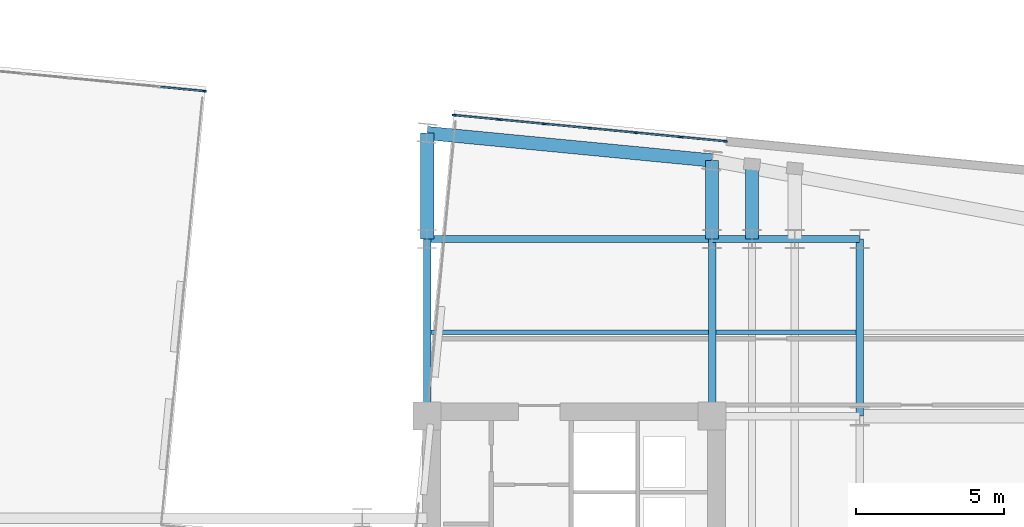
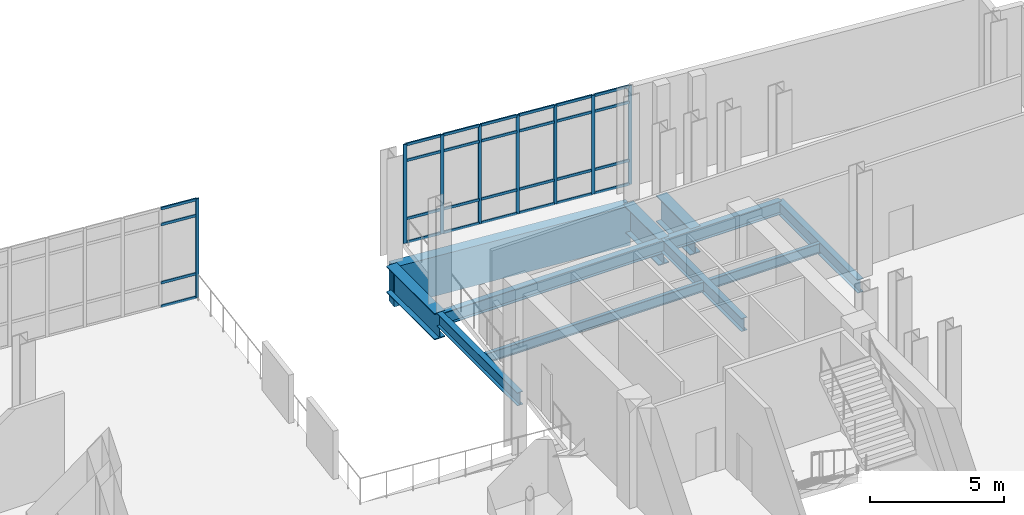
# One storey, part 9 of 16: 36 members, 11 beams, 2 elements without a shape of their own.
"""IFC4 building model written with IfcOpenShell, lengths in metres."""

import ifcopenshell
import ifcopenshell.guid

model = None  # the IFC model being written
_history = None  # IfcOwnerHistory: only IFC2X3 demands one
_inside = {}  # id of a spatial element -> (the spatial element, [elements in it])
_under = {}  # id of a project, library or spatial element -> (it, [spatial elements below it])
_declared = {}  # id of a project -> (the project, [libraries it declares])
_typed = {}  # id of a type object -> (the type object, [elements of that type])
_made_of = {}  # id of a material, layer set ... -> (it, [elements and type objects made of it])


def new_model(schema):
    """Start an empty IFC model of exactly this schema.

    Asked for "IFC4X3", IfcOpenShell would pick the latest addendum, in which some entities
    have other attributes; the version numbers below select the first issue.
    IFC2X3 requires an IfcOwnerHistory on every rooted entity: one is made here for all.
    """
    global model, _history
    if schema == "IFC4X3":
        model = ifcopenshell.file(schema_version=(4, 3, 0, 0))
    else:
        model = ifcopenshell.file(schema=schema)
    _inside.clear()
    _under.clear()
    _declared.clear()
    _typed.clear()
    _made_of.clear()
    _history = None
    if model.schema == "IFC2X3":
        org = make("IfcOrganization", Name="unknown")
        user = make(
            "IfcPersonAndOrganization",
            ThePerson=make("IfcPerson", FamilyName="unknown"),
            TheOrganization=org,
        )
        app = make(
            "IfcApplication",
            ApplicationDeveloper=org,
            Version="unknown",
            ApplicationFullName="unknown",
            ApplicationIdentifier="unknown",
        )
        _history = make(
            "IfcOwnerHistory",
            OwningUser=user,
            OwningApplication=app,
            ChangeAction="ADDED",
            CreationDate=0,
        )
    return model


def make(cls, **values):
    """One entity of the class cls with the attributes given. An attribute that is None is left unset."""
    return model.create_entity(
        cls, **{name: value for name, value in values.items() if value is not None}
    )


def rooted(cls, **values):
    """An entity with a GlobalId (a new one), such as an element, a storey or a relation."""
    return make(cls, GlobalId=ifcopenshell.guid.new(), OwnerHistory=_history, **values)


def si_unit(unit_type, name, prefix=None):
    """IfcSIUnit, for example si_unit("LENGTHUNIT", "METRE", prefix="MILLI")."""
    return make("IfcSIUnit", UnitType=unit_type, Prefix=prefix, Name=name)


def assignment(units):
    """IfcUnitAssignment: the units of a project."""
    return None if units is None else make("IfcUnitAssignment", Units=units)


def point(xyz):
    """IfcCartesianPoint."""
    return None if xyz is None else make("IfcCartesianPoint", Coordinates=xyz)


def direction(xyz):
    """IfcDirection."""
    return None if xyz is None else make("IfcDirection", DirectionRatios=xyz)


def frame(location, z_axis=None, x_axis=None):
    """IfcAxis2Placement3D, a coordinate frame: its origin and axes. An axis left out is left unset."""
    return make(
        "IfcAxis2Placement3D",
        Location=point(location),
        Axis=direction(z_axis),
        RefDirection=direction(x_axis),
    )


def frame_2d(location, x_axis=None):
    """IfcAxis2Placement2D, a coordinate frame in the plane: its origin and x axis."""
    return make(
        "IfcAxis2Placement2D", Location=point(location), RefDirection=direction(x_axis)
    )


def origin():
    """The frame at (0, 0, 0) with its axes left unset."""
    return frame((0.0, 0.0, 0.0))


def origin_2d():
    """The frame at (0, 0) in the plane with its x axis left unset."""
    return frame_2d((0.0, 0.0))


def place(relative_to, where):
    """IfcLocalPlacement: puts the frame where relative to a parent placement (None: the world)."""
    return make(
        "IfcLocalPlacement", PlacementRelTo=relative_to, RelativePlacement=where
    )


def context(
    kind, dimensions, precision=None, world=None, true_north=None, identifier=None
):
    """IfcGeometricRepresentationContext, for example the 3D "Model" context."""
    return make(
        "IfcGeometricRepresentationContext",
        ContextIdentifier=identifier,
        ContextType=kind,
        CoordinateSpaceDimension=dimensions,
        Precision=precision,
        WorldCoordinateSystem=world,
        TrueNorth=true_north,
    )


def subcontext(parent, identifier, kind, view, scale=None):
    """IfcGeometricRepresentationSubContext, for example "Body" below "Model"."""
    return make(
        "IfcGeometricRepresentationSubContext",
        ContextIdentifier=identifier,
        ContextType=kind,
        ParentContext=parent,
        TargetScale=scale,
        TargetView=view,
    )


def project(units=None, contexts=None):
    """IfcProject with its units and contexts."""
    return rooted(
        "IfcProject",
        Name="project",
        RepresentationContexts=contexts,
        UnitsInContext=assignment(units),
    )


def spatial(cls, under=None, at=None, **own):
    """A site, building, storey or space (cls), placed at a placement, below another one or the project."""
    s = rooted(cls, ObjectPlacement=at, **own)
    if under is not None:
        _under.setdefault(under.id(), (under, []))[1].append(s)
    return s


def profile(cls, at=None, kind="AREA", **sizes):
    """A parametric profile (cls). Its sizes go by their IFC names, for example OverallWidth=200.0."""
    return make(cls, ProfileType=kind, Position=at, **sizes)


def rectangle(**sizes):
    """IfcRectangleProfileDef."""
    return profile("IfcRectangleProfileDef", **sizes)


def i_section(**sizes):
    """IfcIShapeProfileDef."""
    return profile("IfcIShapeProfileDef", **sizes)


def extrude(swept, where, along, depth):
    """IfcExtrudedAreaSolid: the profile swept, set in the frame where, extruded along a direction by depth."""
    return make(
        "IfcExtrudedAreaSolid",
        SweptArea=swept,
        Position=where,
        ExtrudedDirection=direction(along),
        Depth=depth,
    )


def shape(context_of_items, identifier, shape_type, items):
    """IfcShapeRepresentation: the items that make up one representation, for example the "Body"."""
    return make(
        "IfcShapeRepresentation",
        ContextOfItems=context_of_items,
        RepresentationIdentifier=identifier,
        RepresentationType=shape_type,
        Items=items,
    )


def material(Name=None, Category=None):
    """IfcMaterial."""
    return make("IfcMaterial", Name=Name, Category=Category)


def layer(
    of_material, thickness, ventilated=None, Name=None, Category=None, Priority=None
):
    """IfcMaterialLayer: one layer of a wall or slab, of a material (None: an air gap)."""
    return make(
        "IfcMaterialLayer",
        Material=of_material,
        LayerThickness=thickness,
        IsVentilated=ventilated,
        Name=Name,
        Category=Category,
        Priority=Priority,
    )


def layer_set(layers, Name=None):
    """IfcMaterialLayerSet."""
    return make("IfcMaterialLayerSet", MaterialLayers=layers, LayerSetName=Name)


def material_profile(
    of_material, cross_section, Name=None, Category=None, Priority=None
):
    """IfcMaterialProfile: a cross section and its material."""
    return make(
        "IfcMaterialProfile",
        Name=Name,
        Material=of_material,
        Profile=cross_section,
        Priority=Priority,
        Category=Category,
    )


def profile_set(profiles, Name=None, composite=None):
    """IfcMaterialProfileSet."""
    return make(
        "IfcMaterialProfileSet",
        Name=Name,
        MaterialProfiles=profiles,
        CompositeProfile=composite,
    )


def made_of(thing, what):
    """Note that an element or type object is made of a material, layer set ...; save() writes the relation."""
    if what is not None:
        _made_of.setdefault(what.id(), (what, []))[1].append(thing)
    return thing


def type_object(cls, material=None, **own):
    """A type object (cls), such as IfcWallType, which elements share."""
    return made_of(rooted(cls, **own), material)


def element(
    cls,
    number,
    at=None,
    inside=None,
    cuts=None,
    type_object=None,
    material=None,
    context=None,
    identifier="Body",
    shape_type=None,
    held_by="IfcProductDefinitionShape",
    body=None,
    shapes=None,
    **own,
):
    """One element of the class cls, such as IfcWall. Its Tag is "e" and its number.

    at: its placement. inside: the storey or other place that contains it. cuts: it is an
    opening in that element (IfcRelVoidsElement). A single representation is given by context,
    identifier, shape_type and body (its items); several are given by shapes. held_by: the class
    of the entity that holds the representations. save() writes the other relations.
    """
    e = rooted(cls, Tag="e%d" % number, ObjectPlacement=at, **own)
    if body is not None:
        shapes = [shape(context, identifier, shape_type, body)]
    if shapes is not None:
        e.Representation = make(held_by, Representations=shapes)
    if inside is not None:
        _inside.setdefault(inside.id(), (inside, []))[1].append(e)
    if cuts is not None:
        rooted(
            "IfcRelVoidsElement", RelatingBuildingElement=cuts, RelatedOpeningElement=e
        )
    if type_object is not None:
        _typed.setdefault(type_object.id(), (type_object, []))[1].append(e)
    return made_of(e, material)


def aggregate(whole, parts):
    """IfcRelAggregates: a whole, such as a stair, and the parts it consists of."""
    return rooted("IfcRelAggregates", RelatingObject=whole, RelatedObjects=parts)


def save(model, path):
    """Write the relations noted so far, then the file.

    IfcRelAggregates (storeys below a building ...), IfcRelContainedInSpatialStructure (elements
    in a storey), IfcRelDefinesByType, IfcRelAssociatesMaterial and IfcRelDeclares: one each for
    every whole, place, type object, material and project.
    """
    for whole, parts in _under.values():
        aggregate(whole, parts)
    for where, things in _inside.values():
        rooted(
            "IfcRelContainedInSpatialStructure",
            RelatedElements=things,
            RelatingStructure=where,
        )
    for kind, things in _typed.values():
        rooted("IfcRelDefinesByType", RelatedObjects=things, RelatingType=kind)
    for what, things in _made_of.values():
        rooted("IfcRelAssociatesMaterial", RelatedObjects=things, RelatingMaterial=what)
    for by, libraries in _declared.values():
        rooted("IfcRelDeclares", RelatingContext=by, RelatedDefinitions=libraries)
    model.write(path)


model = new_model("IFC4")

# Units and contexts
model_context = context("Model", 3, precision=1e-05, world=origin(), true_north=direction((0.0, 1.0)))
body_context = subcontext(model_context, "Body", "Model", "MODEL_VIEW")
ifc_project = project(units=[si_unit("LENGTHUNIT", "METRE"), si_unit("AREAUNIT", "SQUARE_METRE"), si_unit("VOLUMEUNIT", "CUBIC_METRE"), si_unit("PLANEANGLEUNIT", "RADIAN"), si_unit("MASSUNIT", "GRAM", prefix="KILO")], contexts=[model_context])

# Site, building, storey
site_placement = place(None, origin())
site = spatial("IfcSite", under=ifc_project, at=site_placement, CompositionType="ELEMENT")
building_placement = place(site_placement, origin())
building = spatial("IfcBuilding", under=site, at=building_placement, Name="Velakula Bourse", CompositionType="ELEMENT")
storey_placement = place(building_placement, frame((0.0, 0.0, 199.5)))
storey = spatial("IfcBuildingStorey", under=building, at=storey_placement, Name="L54", CompositionType="ELEMENT", Elevation=199.5)

# Beams
ifc_material_1 = material(Name="Steel IS 2062 Grade 350 (E350)", Category="steel")
ifc_material_profile_1 = material_profile(ifc_material_1, i_section(OverallWidth=0.25, OverallDepth=0.60009765625, WebThickness=0.01123046875, FlangeThickness=0.021240234375, at=origin_2d()), Name="Steel IS 2062 Grade 350 (E350)")
ifc_profile_set_1 = profile_set([ifc_material_profile_1], Name="Steel IS 2062 Grade 350 (E350)")
beam_type_1 = type_object("IfcBeamType", Name="BM-GRD-600M", PredefinedType="BEAM", material=ifc_profile_set_1)
for number, where, z_axis, x_axis, name in (
    (1, (8.949951171875, 8.60009765625, -0.580078125), (0.0, 1.0, 0.0), (-1.0, 0.0, 0.0), "L54 Fulcrum Grid Girder FLC-ECN"),
    (2, (18.60009765625, 8.60009765625, -0.580078125), (0.0, 1.0, 0.0), (-1.0, 0.0, 0.0), "L54 Fulcrum Grid Girder FLC-EN"),
):
    element("IfcBeam", number, at=place(storey_placement, frame(where, z_axis=z_axis, x_axis=x_axis)), inside=storey, type_object=beam_type_1, Name=name, PredefinedType="BEAM", context=body_context, shape_type="SweptSolid", body=[
        extrude(i_section(OverallWidth=0.25, OverallDepth=0.60009765625, WebThickness=0.01123046875, FlangeThickness=0.021240234375, at=origin_2d()), origin(), (0.0, 0.0, 1.0), 6.0),
    ])
beam_1_placement = place(storey_placement, frame((8.949951171875, 14.60009765625, -0.580078125), z_axis=(1.0, 0.0, 0.0), x_axis=(0.0, 1.0, 0.0)))
element("IfcBeam", 3, at=beam_1_placement, inside=storey, type_object=beam_type_1, Name="L54 Fulcrum Grid Girder FLC-N3", PredefinedType="BEAM", context=body_context, shape_type="SweptSolid", body=[
    extrude(i_section(OverallWidth=0.25, OverallDepth=0.60009765625, WebThickness=0.01123046875, FlangeThickness=0.021240234375, at=origin_2d()), origin(), (0.0, 0.0, 1.0), 9.650146484375),
])
beam_2_placement = place(storey_placement, frame((18.60009765625, 14.60009765625, -0.580078125), z_axis=(1.0, 0.0, 0.0), x_axis=(0.0, 1.0, 0.0)))
element("IfcBeam", 4, at=beam_2_placement, inside=storey, type_object=beam_type_1, Name="L54 Fulcrum Grid Girder MWG-EN2", PredefinedType="BEAM", context=body_context, shape_type="SweptSolid", body=[
    extrude(i_section(OverallWidth=0.25, OverallDepth=0.60009765625, WebThickness=0.01123046875, FlangeThickness=0.021240234375, at=origin_2d()), origin(), (0.0, 0.0, 1.0), 5.0),
])
beam_3_placement = place(storey_placement, frame((23.60009765625, 8.60009765625, -0.580078125), z_axis=(0.0, 1.0, 0.0), x_axis=(-1.0, 0.0, 0.0)))
element("IfcBeam", 5, at=beam_3_placement, inside=storey, type_object=beam_type_1, Name="L54 Fulcrum Grid Girder MWG-ENS3", PredefinedType="BEAM", context=body_context, shape_type="SweptSolid", body=[
    extrude(i_section(OverallWidth=0.25, OverallDepth=0.60009765625, WebThickness=0.01123046875, FlangeThickness=0.021240234375, at=origin_2d()), origin(), (0.0, 0.0, 1.0), 6.0),
])
ifc_material_profile_2 = material_profile(ifc_material_1, i_section(OverallWidth=0.14990234375, OverallDepth=0.449951171875, WebThickness=0.009521484375, FlangeThickness=0.017333984375, at=origin_2d()), Name="Steel IS 2062 Grade 350 (E350)")
ifc_profile_set_2 = profile_set([ifc_material_profile_2], Name="Steel IS 2062 Grade 350 (E350)")
beam_type_2 = type_object("IfcBeamType", Name="JST-TWR-450", PredefinedType="JOIST", material=ifc_profile_set_2)
beam_4_placement = place(storey_placement, frame((9.074951171875, 11.449951171875, -0.5048828125), z_axis=(1.0, 0.0, 0.0), x_axis=(0.0, 1.0, 0.0)))
element("IfcBeam", 6, at=beam_4_placement, inside=storey, type_object=beam_type_2, Name="L54 Trading Floor Composite Joist 11", PredefinedType="JOIST", context=body_context, shape_type="SweptSolid", body=[
    extrude(i_section(OverallWidth=0.14990234375, OverallDepth=0.449951171875, WebThickness=0.009521484375, FlangeThickness=0.017333984375, at=origin_2d()), origin(), (0.0, 0.0, 1.0), 9.400146484375),
])
beam_5_placement = place(storey_placement, frame((18.72509765625, 11.449951171875, -0.5048828125), z_axis=(1.0, 0.0, 0.0), x_axis=(0.0, 1.0, 0.0)))
element("IfcBeam", 7, at=beam_5_placement, inside=storey, type_object=beam_type_2, Name="L54 Trading Floor Composite Joist 12", PredefinedType="JOIST", context=body_context, shape_type="SweptSolid", body=[
    extrude(i_section(OverallWidth=0.14990234375, OverallDepth=0.449951171875, WebThickness=0.009521484375, FlangeThickness=0.017333984375, at=origin_2d()), origin(), (0.0, 0.0, 1.0), 4.75),
])

# Curtain wall, member
ifc_material_2 = material(Name="Anodised bronze architectural aluminium", Category="aluminium")
ifc_layer = layer(ifc_material_2, 0.139892578125, Name="Anodised bronze architectural aluminium", Category="aluminium")
ifc_layer_set = layer_set([ifc_layer], Name="Anodised bronze architectural aluminium")
curtain_wall_type = type_object("IfcCurtainWallType", Name="CW-TS1", PredefinedType="NOTDEFINED", material=ifc_layer_set)
curtain_wall_1_placement = place(storey_placement, origin())
curtain_wall_1 = element("IfcCurtainWall", 8, at=curtain_wall_1_placement, inside=storey, type_object=curtain_wall_type, Name="L54 Venturi Observation Curtain Wall N-B2", PredefinedType="NOTDEFINED")
ifc_material_profile_3 = material_profile(ifc_material_2, rectangle(XDim=0.06005859375, YDim=0.139892578125, at=origin_2d()), Name="Anodised bronze architectural aluminium")
ifc_profile_set_3 = profile_set([ifc_material_profile_3], Name="Anodised bronze architectural aluminium")
member_type_1 = type_object("IfcMemberType", Name="MUL-CW-TS1", PredefinedType="MULLION", material=ifc_profile_set_3)
member_1_placement = place(storey_placement, frame((1.40380859375, 19.609375, 0.0), z_axis=(0.0, 0.0, 1.0), x_axis=(0.095849023567, 0.995395883396, 0.0)))
member_1 = element("IfcMember", 9, at=member_1_placement, type_object=member_type_1, Name="CW-TS1 mullion 7", PredefinedType="MULLION", context=body_context, shape_type="SweptSolid", body=[
    extrude(rectangle(XDim=0.06005859375, YDim=0.139892578125, at=origin_2d()), origin(), (0.0, 0.0, 1.0), 4.5),
])

# Curtain wall, members
curtain_wall_2_placement = place(storey_placement, origin())
curtain_wall_2 = element("IfcCurtainWall", 10, at=curtain_wall_2_placement, inside=storey, type_object=curtain_wall_type, Name="L54 Venturi Observation Curtain Wall N-B4", PredefinedType="NOTDEFINED")
member_2_placement = place(storey_placement, frame((9.874755859375, 18.7939453125, 0.0), z_axis=(0.0, 0.0, 1.0), x_axis=(0.095849023567, 0.995395883396, 0.0)))
member_2 = element("IfcMember", 11, at=member_2_placement, type_object=member_type_1, Name="CW-TS1 mullion 1", PredefinedType="MULLION", context=body_context, shape_type="SweptSolid", body=[
    extrude(rectangle(XDim=0.06005859375, YDim=0.139892578125, at=origin_2d()), origin(), (0.0, 0.0, 1.0), 4.5),
])
member_3_placement = place(storey_placement, frame((11.383544921875, 18.6484375, 0.0), z_axis=(0.0, 0.0, 1.0), x_axis=(0.095849023567, 0.995395883396, 0.0)))
member_3 = element("IfcMember", 12, at=member_3_placement, type_object=member_type_1, Name="CW-TS1 mullion 2", PredefinedType="MULLION", context=body_context, shape_type="SweptSolid", body=[
    extrude(rectangle(XDim=0.06005859375, YDim=0.139892578125, at=origin_2d()), origin(), (0.0, 0.0, 1.0), 4.5),
])
member_4_placement = place(storey_placement, frame((12.922119140625, 18.50048828125, 0.0), z_axis=(0.0, 0.0, 1.0), x_axis=(0.095849023567, 0.995395883396, 0.0)))
member_4 = element("IfcMember", 13, at=member_4_placement, type_object=member_type_1, Name="CW-TS1 mullion 3", PredefinedType="MULLION", context=body_context, shape_type="SweptSolid", body=[
    extrude(rectangle(XDim=0.06005859375, YDim=0.139892578125, at=origin_2d()), origin(), (0.0, 0.0, 1.0), 4.5),
])
member_5_placement = place(storey_placement, frame((14.4609375, 18.352294921875, 0.0), z_axis=(0.0, 0.0, 1.0), x_axis=(0.095849023567, 0.995395883396, 0.0)))
member_5 = element("IfcMember", 14, at=member_5_placement, type_object=member_type_1, Name="CW-TS1 mullion 4", PredefinedType="MULLION", context=body_context, shape_type="SweptSolid", body=[
    extrude(rectangle(XDim=0.06005859375, YDim=0.139892578125, at=origin_2d()), origin(), (0.0, 0.0, 1.0), 4.5),
])
member_6_placement = place(storey_placement, frame((15.999755859375, 18.2041015625, 0.0), z_axis=(0.0, 0.0, 1.0), x_axis=(0.095849023567, 0.995395883396, 0.0)))
member_6 = element("IfcMember", 15, at=member_6_placement, type_object=member_type_1, Name="CW-TS1 mullion 5", PredefinedType="MULLION", context=body_context, shape_type="SweptSolid", body=[
    extrude(rectangle(XDim=0.06005859375, YDim=0.139892578125, at=origin_2d()), origin(), (0.0, 0.0, 1.0), 4.5),
])
member_7_placement = place(storey_placement, frame((17.538330078125, 18.055908203125, 0.0), z_axis=(0.0, 0.0, 1.0), x_axis=(0.095849023567, 0.995395883396, 0.0)))
member_7 = element("IfcMember", 16, at=member_7_placement, type_object=member_type_1, Name="CW-TS1 mullion 6", PredefinedType="MULLION", context=body_context, shape_type="SweptSolid", body=[
    extrude(rectangle(XDim=0.06005859375, YDim=0.139892578125, at=origin_2d()), origin(), (0.0, 0.0, 1.0), 4.5),
])
member_8_placement = place(storey_placement, frame((19.047119140625, 17.91064453125, 0.0), z_axis=(0.0, 0.0, 1.0), x_axis=(0.095849023567, 0.995395883396, 0.0)))
member_8 = element("IfcMember", 17, at=member_8_placement, type_object=member_type_1, Name="CW-TS1 mullion 7", PredefinedType="MULLION", context=body_context, shape_type="SweptSolid", body=[
    extrude(rectangle(XDim=0.06005859375, YDim=0.139892578125, at=origin_2d()), origin(), (0.0, 0.0, 1.0), 4.5),
])

# Beams
ifc_material_3 = material(Name="Concrete M50 (fck 50 MPa)", Category="concrete")
ifc_material_profile_4 = material_profile(ifc_material_3, rectangle(XDim=0.449951171875, YDim=1.800048828125, at=origin_2d()), Name="Concrete M50 (fck 50 MPa)")
ifc_profile_set_4 = profile_set([ifc_material_profile_4], Name="Concrete M50 (fck 50 MPa)")
beam_type_3 = type_object("IfcBeamType", Name="SPN-TRF-1800", PredefinedType="SPANDREL", material=ifc_profile_set_4)
beam_6_placement = place(storey_placement, frame((8.949951171875, 18.189697265625, -1.179931640625), z_axis=(0.99539623971, -0.095845323155, 0.0), x_axis=(0.095845323155, 0.99539623971, 0.0)))
element("IfcBeam", 18, at=beam_6_placement, inside=storey, type_object=beam_type_3, Name="L54 Brick-Faced Precast Spandrel N3-N4", PredefinedType="SPANDREL", context=body_context, shape_type="SweptSolid", body=[
    extrude(rectangle(XDim=0.449951171875, YDim=1.800048828125, at=origin_2d()), origin(), (0.0, 0.0, 1.0), 9.69482421875),
])
ifc_material_4 = material(Name="Steel IS 2062 Grade 450 (E450)", Category="steel")
ifc_material_profile_5 = material_profile(ifc_material_4, i_section(OverallWidth=0.449951171875, OverallDepth=1.199951171875, WebThickness=0.02587890625, FlangeThickness=0.0400390625, at=origin_2d()), Name="Steel IS 2062 Grade 450 (E450)")
ifc_profile_set_5 = profile_set([ifc_material_profile_5], Name="Steel IS 2062 Grade 450 (E450)")
beam_type_4 = type_object("IfcBeamType", Name="TB-CANT-1200", PredefinedType="BEAM", material=ifc_profile_set_5)
beam_7_placement = place(storey_placement, frame((8.949951171875, 14.60009765625, -0.8798828125), z_axis=(0.0, 1.0, 0.0), x_axis=(-1.0, 0.0, 0.0)))
element("IfcBeam", 19, at=beam_7_placement, inside=storey, type_object=beam_type_4, Name="L54 Perimeter Tie Girder N3", PredefinedType="BEAM", context=body_context, shape_type="SweptSolid", body=[
    extrude(i_section(OverallWidth=0.449951171875, OverallDepth=1.199951171875, WebThickness=0.02587890625, FlangeThickness=0.0400390625, at=origin_2d()), origin(), (0.0, 0.0, 1.0), 3.589599609375),
])
beam_8_placement = place(storey_placement, frame((18.60009765625, 14.60009765625, -0.8798828125), z_axis=(0.0, 1.0, 0.0), x_axis=(-1.0, 0.0, 0.0)))
element("IfcBeam", 20, at=beam_8_placement, inside=storey, type_object=beam_type_4, Name="L54 Perimeter Tie Girder N4", PredefinedType="BEAM", context=body_context, shape_type="SweptSolid", body=[
    extrude(i_section(OverallWidth=0.449951171875, OverallDepth=1.199951171875, WebThickness=0.02587890625, FlangeThickness=0.0400390625, at=origin_2d()), origin(), (0.0, 0.0, 1.0), 2.660400390625),
])
beam_9_placement = place(storey_placement, frame((19.949951171875, 14.60009765625, -0.8798828125), z_axis=(0.0, 1.0, 0.0), x_axis=(-1.0, 0.0, 0.0)))
element("IfcBeam", 21, at=beam_9_placement, inside=storey, type_object=beam_type_4, Name="L54 Perimeter Tie Girder P07", PredefinedType="BEAM", context=body_context, shape_type="SweptSolid", body=[
    extrude(i_section(OverallWidth=0.449951171875, OverallDepth=1.199951171875, WebThickness=0.02587890625, FlangeThickness=0.0400390625, at=origin_2d()), origin(), (0.0, 0.0, 1.0), 2.530517578125),
])

# Member
ifc_material_profile_6 = material_profile(ifc_material_2, rectangle(XDim=0.06005859375, YDim=0.1201171875, at=origin_2d()), Name="Anodised bronze architectural aluminium")
ifc_profile_set_6 = profile_set([ifc_material_profile_6], Name="Anodised bronze architectural aluminium")
member_type_2 = type_object("IfcMemberType", Name="TRN-CW-TS1", PredefinedType="USERDEFINED", material=ifc_profile_set_6)
member_9_placement = place(storey_placement, frame((-0.0751953125, 19.751953125, 0.030029296875), z_axis=(0.995389345287, -0.095916897828, 0.0), x_axis=(0.095916897828, 0.995389345287, 0.0)))
member_9 = element("IfcMember", 22, at=member_9_placement, type_object=member_type_2, Name="CW-TS1 transom 6.1", ObjectType="TRANSOM", PredefinedType="USERDEFINED", context=body_context, shape_type="SweptSolid", body=[
    extrude(rectangle(XDim=0.06005859375, YDim=0.1201171875, at=origin_2d()), origin(), (0.0, 0.0, 1.0), 1.455810546875),
])

member_10_placement = place(storey_placement, frame((-0.0751953125, 19.751953125, 1.10009765625), z_axis=(0.995389345287, -0.095916897828, 0.0), x_axis=(0.095916897828, 0.995389345287, 0.0)))
member_10 = element("IfcMember", 23, at=member_10_placement, type_object=member_type_2, Name="CW-TS1 transom 6.2", ObjectType="TRANSOM", PredefinedType="USERDEFINED", context=body_context, shape_type="SweptSolid", body=[
    extrude(rectangle(XDim=0.06005859375, YDim=0.1201171875, at=origin_2d()), origin(), (0.0, 0.0, 1.0), 1.455810546875),
])

member_11_placement = place(storey_placement, frame((-0.0751953125, 19.751953125, 3.75), z_axis=(0.995389345287, -0.095916897828, 0.0), x_axis=(0.095916897828, 0.995389345287, 0.0)))
member_11 = element("IfcMember", 24, at=member_11_placement, type_object=member_type_2, Name="CW-TS1 transom 6.3", ObjectType="TRANSOM", PredefinedType="USERDEFINED", context=body_context, shape_type="SweptSolid", body=[
    extrude(rectangle(XDim=0.06005859375, YDim=0.1201171875, at=origin_2d()), origin(), (0.0, 0.0, 1.0), 1.455810546875),
])

member_12_placement = place(storey_placement, frame((-0.0751953125, 19.751953125, 4.469970703125), z_axis=(0.995389345287, -0.095916897828, 0.0), x_axis=(0.095916897828, 0.995389345287, 0.0)))
member_12 = element("IfcMember", 25, at=member_12_placement, type_object=member_type_2, Name="CW-TS1 transom 6.4", ObjectType="TRANSOM", PredefinedType="USERDEFINED", context=body_context, shape_type="SweptSolid", body=[
    extrude(rectangle(XDim=0.06005859375, YDim=0.1201171875, at=origin_2d()), origin(), (0.0, 0.0, 1.0), 1.455810546875),
])

aggregate(curtain_wall_1, [member_1, member_9, member_10, member_11, member_12])

member_13_placement = place(storey_placement, frame((9.904541015625, 18.791015625, 0.030029296875), z_axis=(0.995389345287, -0.095916897828, 0.0), x_axis=(0.095916897828, 0.995389345287, 0.0)))
member_13 = element("IfcMember", 26, at=member_13_placement, type_object=member_type_2, Name="CW-TS1 transom 1.1", ObjectType="TRANSOM", PredefinedType="USERDEFINED", context=body_context, shape_type="SweptSolid", body=[
    extrude(rectangle(XDim=0.06005859375, YDim=0.1201171875, at=origin_2d()), origin(), (0.0, 0.0, 1.0), 1.455810546875),
])

member_14_placement = place(storey_placement, frame((9.904541015625, 18.791015625, 1.10009765625), z_axis=(0.995389345287, -0.095916897828, 0.0), x_axis=(0.095916897828, 0.995389345287, 0.0)))
member_14 = element("IfcMember", 27, at=member_14_placement, type_object=member_type_2, Name="CW-TS1 transom 1.2", ObjectType="TRANSOM", PredefinedType="USERDEFINED", context=body_context, shape_type="SweptSolid", body=[
    extrude(rectangle(XDim=0.06005859375, YDim=0.1201171875, at=origin_2d()), origin(), (0.0, 0.0, 1.0), 1.455810546875),
])

member_15_placement = place(storey_placement, frame((9.904541015625, 18.791015625, 3.75), z_axis=(0.995389345287, -0.095916897828, 0.0), x_axis=(0.095916897828, 0.995389345287, 0.0)))
member_15 = element("IfcMember", 28, at=member_15_placement, type_object=member_type_2, Name="CW-TS1 transom 1.3", ObjectType="TRANSOM", PredefinedType="USERDEFINED", context=body_context, shape_type="SweptSolid", body=[
    extrude(rectangle(XDim=0.06005859375, YDim=0.1201171875, at=origin_2d()), origin(), (0.0, 0.0, 1.0), 1.455810546875),
])

member_16_placement = place(storey_placement, frame((9.904541015625, 18.791015625, 4.469970703125), z_axis=(0.995389345287, -0.095916897828, 0.0), x_axis=(0.095916897828, 0.995389345287, 0.0)))
member_16 = element("IfcMember", 29, at=member_16_placement, type_object=member_type_2, Name="CW-TS1 transom 1.4", ObjectType="TRANSOM", PredefinedType="USERDEFINED", context=body_context, shape_type="SweptSolid", body=[
    extrude(rectangle(XDim=0.06005859375, YDim=0.1201171875, at=origin_2d()), origin(), (0.0, 0.0, 1.0), 1.455810546875),
])

member_17_placement = place(storey_placement, frame((11.413330078125, 18.645751953125, 0.030029296875), z_axis=(0.995385517791, -0.095956609837, 0.0), x_axis=(0.095956609837, 0.995385517791, 0.0)))
member_17 = element("IfcMember", 30, at=member_17_placement, type_object=member_type_2, Name="CW-TS1 transom 2.1", ObjectType="TRANSOM", PredefinedType="USERDEFINED", context=body_context, shape_type="SweptSolid", body=[
    extrude(rectangle(XDim=0.06005859375, YDim=0.1201171875, at=origin_2d()), origin(), (0.0, 0.0, 1.0), 1.48583984375),
])

member_18_placement = place(storey_placement, frame((11.413330078125, 18.645751953125, 1.10009765625), z_axis=(0.995385517791, -0.095956609837, 0.0), x_axis=(0.095956609837, 0.995385517791, 0.0)))
member_18 = element("IfcMember", 31, at=member_18_placement, type_object=member_type_2, Name="CW-TS1 transom 2.2", ObjectType="TRANSOM", PredefinedType="USERDEFINED", context=body_context, shape_type="SweptSolid", body=[
    extrude(rectangle(XDim=0.06005859375, YDim=0.1201171875, at=origin_2d()), origin(), (0.0, 0.0, 1.0), 1.48583984375),
])

member_19_placement = place(storey_placement, frame((11.413330078125, 18.645751953125, 3.75), z_axis=(0.995385517791, -0.095956609837, 0.0), x_axis=(0.095956609837, 0.995385517791, 0.0)))
member_19 = element("IfcMember", 32, at=member_19_placement, type_object=member_type_2, Name="CW-TS1 transom 2.3", ObjectType="TRANSOM", PredefinedType="USERDEFINED", context=body_context, shape_type="SweptSolid", body=[
    extrude(rectangle(XDim=0.06005859375, YDim=0.1201171875, at=origin_2d()), origin(), (0.0, 0.0, 1.0), 1.48583984375),
])

member_20_placement = place(storey_placement, frame((11.413330078125, 18.645751953125, 4.469970703125), z_axis=(0.995385517791, -0.095956609837, 0.0), x_axis=(0.095956609837, 0.995385517791, 0.0)))
member_20 = element("IfcMember", 33, at=member_20_placement, type_object=member_type_2, Name="CW-TS1 transom 2.4", ObjectType="TRANSOM", PredefinedType="USERDEFINED", context=body_context, shape_type="SweptSolid", body=[
    extrude(rectangle(XDim=0.06005859375, YDim=0.1201171875, at=origin_2d()), origin(), (0.0, 0.0, 1.0), 1.48583984375),
])

member_21_placement = place(storey_placement, frame((12.9521484375, 18.49755859375, 0.030029296875), z_axis=(0.995385517791, -0.095956609837, 0.0), x_axis=(0.095956609837, 0.995385517791, 0.0)))
member_21 = element("IfcMember", 34, at=member_21_placement, type_object=member_type_2, Name="CW-TS1 transom 3.1", ObjectType="TRANSOM", PredefinedType="USERDEFINED", context=body_context, shape_type="SweptSolid", body=[
    extrude(rectangle(XDim=0.06005859375, YDim=0.1201171875, at=origin_2d()), origin(), (0.0, 0.0, 1.0), 1.48583984375),
])

member_22_placement = place(storey_placement, frame((12.9521484375, 18.49755859375, 1.10009765625), z_axis=(0.995385517791, -0.095956609837, 0.0), x_axis=(0.095956609837, 0.995385517791, 0.0)))
member_22 = element("IfcMember", 35, at=member_22_placement, type_object=member_type_2, Name="CW-TS1 transom 3.2", ObjectType="TRANSOM", PredefinedType="USERDEFINED", context=body_context, shape_type="SweptSolid", body=[
    extrude(rectangle(XDim=0.06005859375, YDim=0.1201171875, at=origin_2d()), origin(), (0.0, 0.0, 1.0), 1.48583984375),
])

member_23_placement = place(storey_placement, frame((12.9521484375, 18.49755859375, 3.75), z_axis=(0.995385517791, -0.095956609837, 0.0), x_axis=(0.095956609837, 0.995385517791, 0.0)))
member_23 = element("IfcMember", 36, at=member_23_placement, type_object=member_type_2, Name="CW-TS1 transom 3.3", ObjectType="TRANSOM", PredefinedType="USERDEFINED", context=body_context, shape_type="SweptSolid", body=[
    extrude(rectangle(XDim=0.06005859375, YDim=0.1201171875, at=origin_2d()), origin(), (0.0, 0.0, 1.0), 1.48583984375),
])

member_24_placement = place(storey_placement, frame((12.9521484375, 18.49755859375, 4.469970703125), z_axis=(0.995385517791, -0.095956609837, 0.0), x_axis=(0.095956609837, 0.995385517791, 0.0)))
member_24 = element("IfcMember", 37, at=member_24_placement, type_object=member_type_2, Name="CW-TS1 transom 3.4", ObjectType="TRANSOM", PredefinedType="USERDEFINED", context=body_context, shape_type="SweptSolid", body=[
    extrude(rectangle(XDim=0.06005859375, YDim=0.1201171875, at=origin_2d()), origin(), (0.0, 0.0, 1.0), 1.48583984375),
])

member_25_placement = place(storey_placement, frame((14.49072265625, 18.349365234375, 0.030029296875), z_axis=(0.995385517791, -0.095956609837, 0.0), x_axis=(0.095956609837, 0.995385517791, 0.0)))
member_25 = element("IfcMember", 38, at=member_25_placement, type_object=member_type_2, Name="CW-TS1 transom 4.1", ObjectType="TRANSOM", PredefinedType="USERDEFINED", context=body_context, shape_type="SweptSolid", body=[
    extrude(rectangle(XDim=0.06005859375, YDim=0.1201171875, at=origin_2d()), origin(), (0.0, 0.0, 1.0), 1.48583984375),
])

member_26_placement = place(storey_placement, frame((14.49072265625, 18.349365234375, 1.10009765625), z_axis=(0.995385517791, -0.095956609837, 0.0), x_axis=(0.095956609837, 0.995385517791, 0.0)))
member_26 = element("IfcMember", 39, at=member_26_placement, type_object=member_type_2, Name="CW-TS1 transom 4.2", ObjectType="TRANSOM", PredefinedType="USERDEFINED", context=body_context, shape_type="SweptSolid", body=[
    extrude(rectangle(XDim=0.06005859375, YDim=0.1201171875, at=origin_2d()), origin(), (0.0, 0.0, 1.0), 1.48583984375),
])

member_27_placement = place(storey_placement, frame((14.49072265625, 18.349365234375, 3.75), z_axis=(0.995385517791, -0.095956609837, 0.0), x_axis=(0.095956609837, 0.995385517791, 0.0)))
member_27 = element("IfcMember", 40, at=member_27_placement, type_object=member_type_2, Name="CW-TS1 transom 4.3", ObjectType="TRANSOM", PredefinedType="USERDEFINED", context=body_context, shape_type="SweptSolid", body=[
    extrude(rectangle(XDim=0.06005859375, YDim=0.1201171875, at=origin_2d()), origin(), (0.0, 0.0, 1.0), 1.48583984375),
])

member_28_placement = place(storey_placement, frame((14.49072265625, 18.349365234375, 4.469970703125), z_axis=(0.995385517791, -0.095956609837, 0.0), x_axis=(0.095956609837, 0.995385517791, 0.0)))
member_28 = element("IfcMember", 41, at=member_28_placement, type_object=member_type_2, Name="CW-TS1 transom 4.4", ObjectType="TRANSOM", PredefinedType="USERDEFINED", context=body_context, shape_type="SweptSolid", body=[
    extrude(rectangle(XDim=0.06005859375, YDim=0.1201171875, at=origin_2d()), origin(), (0.0, 0.0, 1.0), 1.48583984375),
])

member_29_placement = place(storey_placement, frame((16.029541015625, 18.201171875, 0.030029296875), z_axis=(0.995401198531, -0.095793809631, 0.0), x_axis=(0.095793809631, 0.995401198531, 0.0)))
member_29 = element("IfcMember", 42, at=member_29_placement, type_object=member_type_2, Name="CW-TS1 transom 5.1", ObjectType="TRANSOM", PredefinedType="USERDEFINED", context=body_context, shape_type="SweptSolid", body=[
    extrude(rectangle(XDim=0.06005859375, YDim=0.1201171875, at=origin_2d()), origin(), (0.0, 0.0, 1.0), 1.48583984375),
])

member_30_placement = place(storey_placement, frame((16.029541015625, 18.201171875, 1.10009765625), z_axis=(0.995401198531, -0.095793809631, 0.0), x_axis=(0.095793809631, 0.995401198531, 0.0)))
member_30 = element("IfcMember", 43, at=member_30_placement, type_object=member_type_2, Name="CW-TS1 transom 5.2", ObjectType="TRANSOM", PredefinedType="USERDEFINED", context=body_context, shape_type="SweptSolid", body=[
    extrude(rectangle(XDim=0.06005859375, YDim=0.1201171875, at=origin_2d()), origin(), (0.0, 0.0, 1.0), 1.48583984375),
])

member_31_placement = place(storey_placement, frame((16.029541015625, 18.201171875, 3.75), z_axis=(0.995401198531, -0.095793809631, 0.0), x_axis=(0.095793809631, 0.995401198531, 0.0)))
member_31 = element("IfcMember", 44, at=member_31_placement, type_object=member_type_2, Name="CW-TS1 transom 5.3", ObjectType="TRANSOM", PredefinedType="USERDEFINED", context=body_context, shape_type="SweptSolid", body=[
    extrude(rectangle(XDim=0.06005859375, YDim=0.1201171875, at=origin_2d()), origin(), (0.0, 0.0, 1.0), 1.48583984375),
])

member_32_placement = place(storey_placement, frame((16.029541015625, 18.201171875, 4.469970703125), z_axis=(0.995401198531, -0.095793809631, 0.0), x_axis=(0.095793809631, 0.995401198531, 0.0)))
member_32 = element("IfcMember", 45, at=member_32_placement, type_object=member_type_2, Name="CW-TS1 transom 5.4", ObjectType="TRANSOM", PredefinedType="USERDEFINED", context=body_context, shape_type="SweptSolid", body=[
    extrude(rectangle(XDim=0.06005859375, YDim=0.1201171875, at=origin_2d()), origin(), (0.0, 0.0, 1.0), 1.48583984375),
])

member_33_placement = place(storey_placement, frame((17.568359375, 18.052978515625, 0.030029296875), z_axis=(0.995387802173, -0.095932910336, 0.0), x_axis=(0.095932910336, 0.995387802173, 0.0)))
member_33 = element("IfcMember", 46, at=member_33_placement, type_object=member_type_2, Name="CW-TS1 transom 6.1", ObjectType="TRANSOM", PredefinedType="USERDEFINED", context=body_context, shape_type="SweptSolid", body=[
    extrude(rectangle(XDim=0.06005859375, YDim=0.1201171875, at=origin_2d()), origin(), (0.0, 0.0, 1.0), 1.455810546875),
])

member_34_placement = place(storey_placement, frame((17.568359375, 18.052978515625, 1.10009765625), z_axis=(0.995387802173, -0.095932910336, 0.0), x_axis=(0.095932910336, 0.995387802173, 0.0)))
member_34 = element("IfcMember", 47, at=member_34_placement, type_object=member_type_2, Name="CW-TS1 transom 6.2", ObjectType="TRANSOM", PredefinedType="USERDEFINED", context=body_context, shape_type="SweptSolid", body=[
    extrude(rectangle(XDim=0.06005859375, YDim=0.1201171875, at=origin_2d()), origin(), (0.0, 0.0, 1.0), 1.455810546875),
])

member_35_placement = place(storey_placement, frame((17.568359375, 18.052978515625, 3.75), z_axis=(0.995387802173, -0.095932910336, 0.0), x_axis=(0.095932910336, 0.995387802173, 0.0)))
member_35 = element("IfcMember", 48, at=member_35_placement, type_object=member_type_2, Name="CW-TS1 transom 6.3", ObjectType="TRANSOM", PredefinedType="USERDEFINED", context=body_context, shape_type="SweptSolid", body=[
    extrude(rectangle(XDim=0.06005859375, YDim=0.1201171875, at=origin_2d()), origin(), (0.0, 0.0, 1.0), 1.455810546875),
])

member_36_placement = place(storey_placement, frame((17.568359375, 18.052978515625, 4.469970703125), z_axis=(0.995387802173, -0.095932910336, 0.0), x_axis=(0.095932910336, 0.995387802173, 0.0)))
member_36 = element("IfcMember", 49, at=member_36_placement, type_object=member_type_2, Name="CW-TS1 transom 6.4", ObjectType="TRANSOM", PredefinedType="USERDEFINED", context=body_context, shape_type="SweptSolid", body=[
    extrude(rectangle(XDim=0.06005859375, YDim=0.1201171875, at=origin_2d()), origin(), (0.0, 0.0, 1.0), 1.455810546875),
])

aggregate(curtain_wall_2, [member_2, member_3, member_4, member_5, member_6, member_7, member_8, member_13, member_14, member_15, member_16, member_17, member_18, member_19, member_20, member_21, member_22, member_23, member_24, member_25, member_26, member_27, member_28, member_29, member_30, member_31, member_32, member_33, member_34, member_35, member_36])

save(model, "model.ifc")
